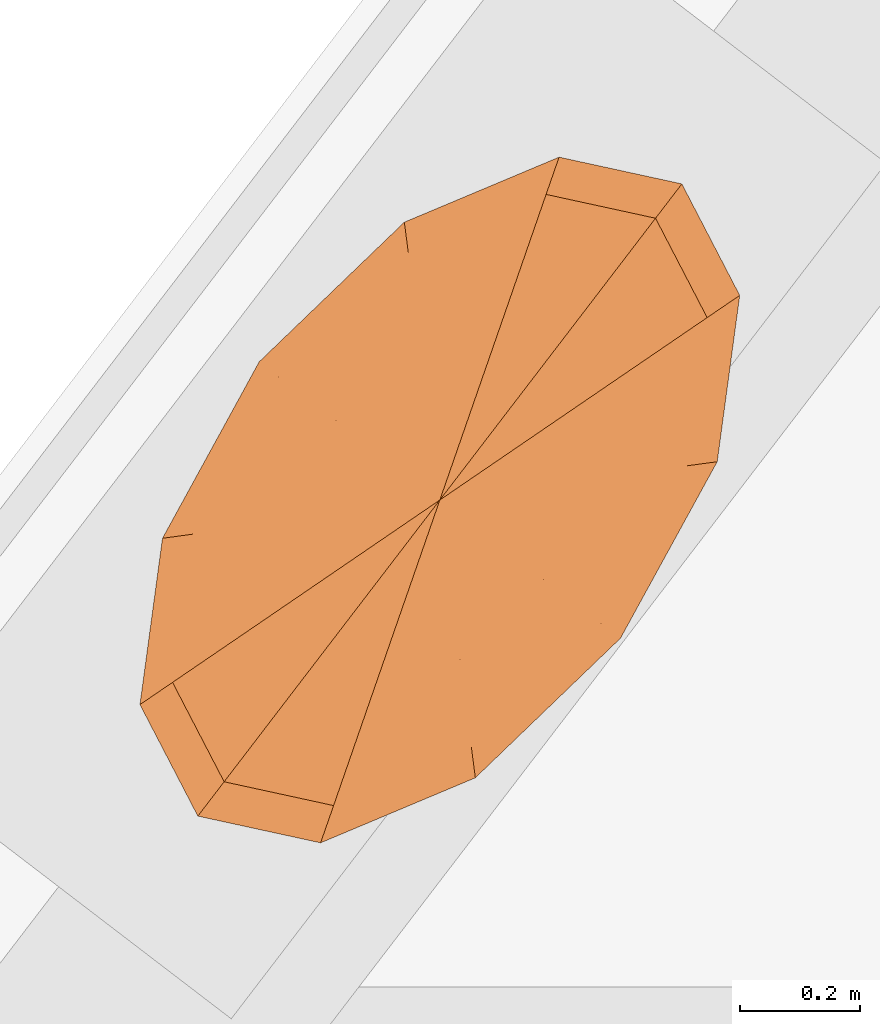
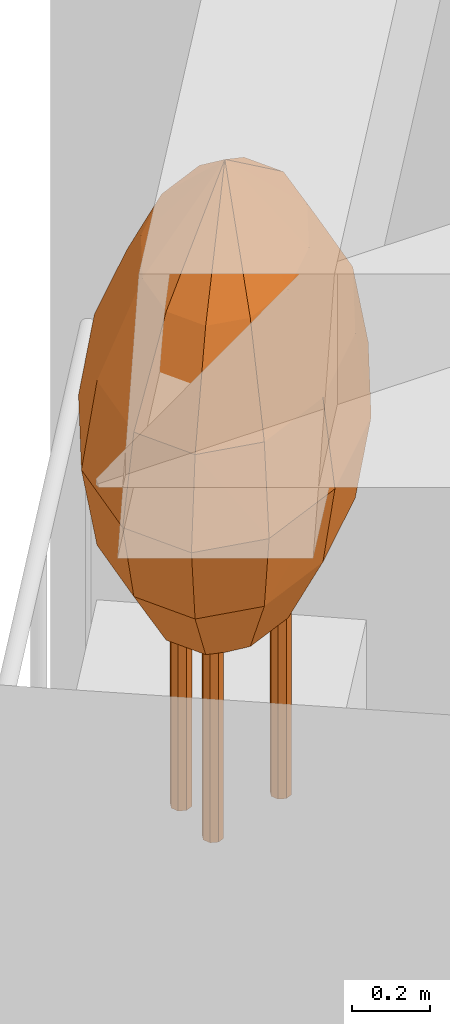
# One storey, part 11 of 11: 1 geographic element.
"""IFC4 building model written with IfcOpenShell, lengths in metres."""

from ifc_helpers import new_model, si_unit, direction, frame, origin, place, context, subcontext, project, spatial, faceted_brep, material, constituent, constituent_set, type_object, element, save


model = new_model("IFC4")

# Units and contexts
model_context = context("Model", 3, precision=1e-05, world=origin(), true_north=direction((0.0, 1.0)))
body_context = subcontext(model_context, "Body", "Model", "MODEL_VIEW")
ifc_project = project(units=[si_unit("LENGTHUNIT", "METRE"), si_unit("AREAUNIT", "SQUARE_METRE"), si_unit("VOLUMEUNIT", "CUBIC_METRE"), si_unit("PLANEANGLEUNIT", "RADIAN"), si_unit("MASSUNIT", "GRAM", prefix="KILO")], contexts=[model_context])

# Site, building, storey
site_placement = place(None, origin())
site = spatial("IfcSite", under=ifc_project, at=site_placement, CompositionType="ELEMENT")
building_placement = place(site_placement, origin())
building = spatial("IfcBuilding", under=site, at=building_placement, Name="Taillehof Tower", CompositionType="ELEMENT")
storey_placement = place(building_placement, frame((0.0, 0.0, 161.60009765625)))
storey = spatial("IfcBuildingStorey", under=building, at=storey_placement, Name="L45", CompositionType="ELEMENT", Elevation=161.60009765625)

# Geographic element
ifc_material_1 = material(Name="Tree bark", Category="timber")
ifc_constituent_1 = constituent(ifc_material_1, Name="Trunk", Category="timber")
ifc_material_2 = material(Name="Tree foliage")
ifc_constituent_2 = constituent(ifc_material_2, Name="Crown")
ifc_constituent_set = constituent_set(constituents=[ifc_constituent_1, ifc_constituent_2], Name="Tree TR3 Multi-stem serviceberry")
geographic_element_type = type_object("IfcGeographicElementType", Name="Tree TR3 Multi-stem serviceberry", PredefinedType="USERDEFINED", material=ifc_constituent_set)
geographic_element_placement = place(storey_placement, frame((-19.1455078125, 12.438720703125, 0.75)))
element("IfcGeographicElement", 1, at=geographic_element_placement, inside=storey, type_object=geographic_element_type, Name="Tree TR3 Multi-stem serviceberry", ObjectType="TREE", PredefinedType="USERDEFINED", context=body_context, shape_type="Brep", body=[
    faceted_brep([(0.195068359375, 0.0, 0.0), (0.186767578125, 0.0205078125, 0.0), (0.186767578125, 0.0205078125, 1.04248046875), (0.195068359375, 0.0, 1.04248046875), (0.166259765625, 0.02880859375, 0.0), (0.166259765625, 0.02880859375, 1.04248046875), (0.145751953125, 0.0205078125, 0.0), (0.145751953125, 0.0205078125, 1.04248046875), (0.137451171875, 0.0, 0.0), (0.137451171875, 0.0, 1.04248046875), (0.145751953125, -0.0205078125, 0.0), (0.145751953125, -0.0205078125, 1.04248046875), (0.166259765625, -0.02880859375, 0.0), (0.166259765625, -0.02880859375, 1.04248046875), (0.186767578125, -0.0205078125, 0.0), (0.186767578125, -0.0205078125, 1.04248046875)], [[[0, 1, 2, 3]], [[1, 4, 5, 2]], [[4, 6, 7, 5]], [[6, 8, 9, 7]], [[8, 10, 11, 9]], [[10, 12, 13, 11]], [[12, 14, 15, 13]], [[14, 0, 3, 15]], [[14, 12, 10, 8, 6, 4, 1, 0]], [[3, 2, 5, 7, 9, 11, 13, 15]]]),
    faceted_brep([(-0.05419921875, 0.082275390625, 0.0), (-0.062744140625, 0.102783203125, 0.0), (-0.062744140625, 0.102783203125, 1.04248046875), (-0.05419921875, 0.082275390625, 1.04248046875), (-0.0830078125, 0.111083984375, 0.0), (-0.0830078125, 0.111083984375, 1.04248046875), (-0.103515625, 0.102783203125, 0.0), (-0.103515625, 0.102783203125, 1.04248046875), (-0.112060546875, 0.082275390625, 0.0), (-0.112060546875, 0.082275390625, 1.04248046875), (-0.103515625, 0.061767578125, 0.0), (-0.103515625, 0.061767578125, 1.04248046875), (-0.0830078125, 0.053466796875, 0.0), (-0.0830078125, 0.053466796875, 1.04248046875), (-0.062744140625, 0.061767578125, 0.0), (-0.062744140625, 0.061767578125, 1.04248046875)], [[[0, 1, 2, 3]], [[1, 4, 5, 2]], [[4, 6, 7, 5]], [[6, 8, 9, 7]], [[8, 10, 11, 9]], [[10, 12, 13, 11]], [[12, 14, 15, 13]], [[14, 0, 3, 15]], [[14, 12, 10, 8, 6, 4, 1, 0]], [[3, 2, 5, 7, 9, 11, 13, 15]]]),
    faceted_brep([(-0.05419921875, -0.082275390625, 0.0), (-0.062744140625, -0.061767578125, 0.0), (-0.062744140625, -0.061767578125, 1.04248046875), (-0.05419921875, -0.082275390625, 1.04248046875), (-0.0830078125, -0.053466796875, 0.0), (-0.0830078125, -0.053466796875, 1.04248046875), (-0.103515625, -0.061767578125, 0.0), (-0.103515625, -0.061767578125, 1.04248046875), (-0.112060546875, -0.082275390625, 0.0), (-0.112060546875, -0.082275390625, 1.04248046875), (-0.103515625, -0.102783203125, 0.0), (-0.103515625, -0.102783203125, 1.04248046875), (-0.0830078125, -0.111083984375, 0.0), (-0.0830078125, -0.111083984375, 1.04248046875), (-0.062744140625, -0.102783203125, 0.0), (-0.062744140625, -0.102783203125, 1.04248046875)], [[[0, 1, 2, 3]], [[1, 4, 5, 2]], [[4, 6, 7, 5]], [[6, 8, 9, 7]], [[8, 10, 11, 9]], [[10, 12, 13, 11]], [[12, 14, 15, 13]], [[14, 0, 3, 15]], [[14, 12, 10, 8, 6, 4, 1, 0]], [[3, 2, 5, 7, 9, 11, 13, 15]]]),
    faceted_brep([(0.0, 0.0, 0.5), (-0.114501953125, -0.3291015625, 0.75830078125), (-0.232177734375, -0.30322265625, 0.75830078125), (0.033935546875, -0.2666015625, 0.75830078125), (0.17333984375, -0.132568359375, 0.75830078125), (0.26611328125, 0.036865234375, 0.75830078125), (0.28759765625, 0.1962890625, 0.75830078125), (0.232177734375, 0.30322265625, 0.75830078125), (0.114501953125, 0.3291015625, 0.75830078125), (-0.033935546875, 0.2666015625, 0.75830078125), (-0.17333984375, 0.132568359375, 0.75830078125), (-0.26611328125, -0.036865234375, 0.75830078125), (-0.28759765625, -0.1962890625, 0.75830078125), (-0.177490234375, -0.510498046875, 1.0166015625), (-0.3603515625, -0.470703125, 1.0166015625), (0.052734375, -0.41357421875, 1.0166015625), (0.26904296875, -0.205810546875, 1.0166015625), (0.4130859375, 0.05712890625, 1.0166015625), (0.446533203125, 0.3046875, 1.0166015625), (0.3603515625, 0.470703125, 1.0166015625), (0.177490234375, 0.510498046875, 1.0166015625), (-0.052734375, 0.41357421875, 1.0166015625), (-0.26904296875, 0.205810546875, 1.0166015625), (-0.4130859375, -0.05712890625, 1.0166015625), (-0.446533203125, -0.3046875, 1.0166015625), (-0.19921875, -0.57275390625, 1.27490234375), (-0.404296875, -0.528076171875, 1.27490234375), (0.059326171875, -0.464111328125, 1.27490234375), (0.3017578125, -0.23095703125, 1.27490234375), (0.46337890625, 0.06396484375, 1.27490234375), (0.5009765625, 0.341796875, 1.27490234375), (0.404296875, 0.528076171875, 1.27490234375), (0.19921875, 0.57275390625, 1.27490234375), (-0.059326171875, 0.464111328125, 1.27490234375), (-0.3017578125, 0.23095703125, 1.27490234375), (-0.46337890625, -0.06396484375, 1.27490234375), (-0.5009765625, -0.341796875, 1.27490234375), (-0.177490234375, -0.510498046875, 1.533447265625), (-0.3603515625, -0.470703125, 1.533447265625), (0.052734375, -0.41357421875, 1.533447265625), (0.26904296875, -0.205810546875, 1.533447265625), (0.4130859375, 0.05712890625, 1.533447265625), (0.446533203125, 0.3046875, 1.533447265625), (0.3603515625, 0.470703125, 1.533447265625), (0.177490234375, 0.510498046875, 1.533447265625), (-0.052734375, 0.41357421875, 1.533447265625), (-0.26904296875, 0.205810546875, 1.533447265625), (-0.4130859375, -0.05712890625, 1.533447265625), (-0.446533203125, -0.3046875, 1.533447265625), (-0.114501953125, -0.3291015625, 1.791748046875), (-0.232177734375, -0.30322265625, 1.791748046875), (0.033935546875, -0.2666015625, 1.791748046875), (0.17333984375, -0.132568359375, 1.791748046875), (0.26611328125, 0.036865234375, 1.791748046875), (0.28759765625, 0.1962890625, 1.791748046875), (0.232177734375, 0.30322265625, 1.791748046875), (0.114501953125, 0.3291015625, 1.791748046875), (-0.033935546875, 0.2666015625, 1.791748046875), (-0.17333984375, 0.132568359375, 1.791748046875), (-0.26611328125, -0.036865234375, 1.791748046875), (-0.28759765625, -0.1962890625, 1.791748046875), (0.0, 0.0, 2.050048828125)], [[[0, 1, 2]], [[0, 3, 1]], [[0, 4, 3]], [[0, 5, 4]], [[0, 6, 5]], [[0, 7, 6]], [[0, 8, 7]], [[0, 9, 8]], [[0, 10, 9]], [[0, 11, 10]], [[0, 12, 11]], [[0, 2, 12]], [[2, 1, 13, 14]], [[1, 3, 15, 13]], [[3, 4, 16, 15]], [[4, 5, 17, 16]], [[5, 6, 18, 17]], [[6, 7, 19, 18]], [[7, 8, 20, 19]], [[8, 9, 21, 20]], [[9, 10, 22, 21]], [[10, 11, 23, 22]], [[11, 12, 24, 23]], [[12, 2, 14, 24]], [[14, 13, 25, 26]], [[13, 15, 27, 25]], [[15, 16, 28, 27]], [[16, 17, 29, 28]], [[17, 18, 30, 29]], [[18, 19, 31, 30]], [[19, 20, 32, 31]], [[20, 21, 33, 32]], [[21, 22, 34, 33]], [[22, 23, 35, 34]], [[23, 24, 36, 35]], [[24, 14, 26, 36]], [[26, 25, 37, 38]], [[25, 27, 39, 37]], [[27, 28, 40, 39]], [[28, 29, 41, 40]], [[29, 30, 42, 41]], [[30, 31, 43, 42]], [[31, 32, 44, 43]], [[32, 33, 45, 44]], [[33, 34, 46, 45]], [[34, 35, 47, 46]], [[35, 36, 48, 47]], [[36, 26, 38, 48]], [[38, 37, 49, 50]], [[37, 39, 51, 49]], [[39, 40, 52, 51]], [[40, 41, 53, 52]], [[41, 42, 54, 53]], [[42, 43, 55, 54]], [[43, 44, 56, 55]], [[44, 45, 57, 56]], [[45, 46, 58, 57]], [[46, 47, 59, 58]], [[47, 48, 60, 59]], [[48, 38, 50, 60]], [[50, 49, 61]], [[49, 51, 61]], [[51, 52, 61]], [[52, 53, 61]], [[53, 54, 61]], [[54, 55, 61]], [[55, 56, 61]], [[56, 57, 61]], [[57, 58, 61]], [[58, 59, 61]], [[59, 60, 61]], [[60, 50, 61]]]),
])

save(model, "model.ifc")
